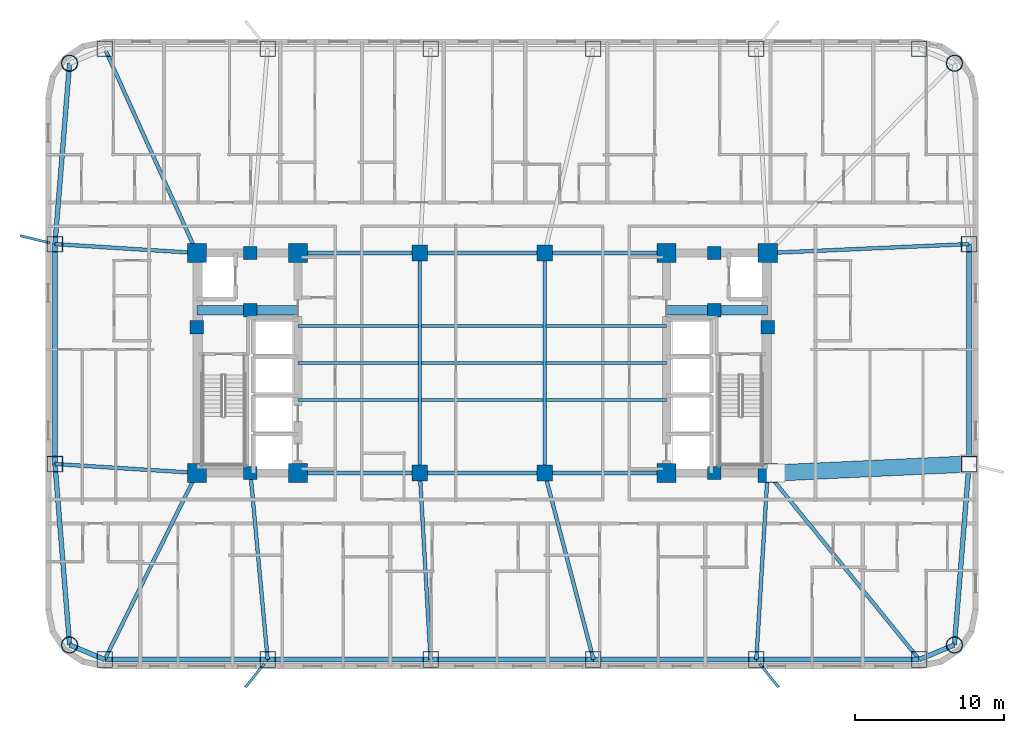
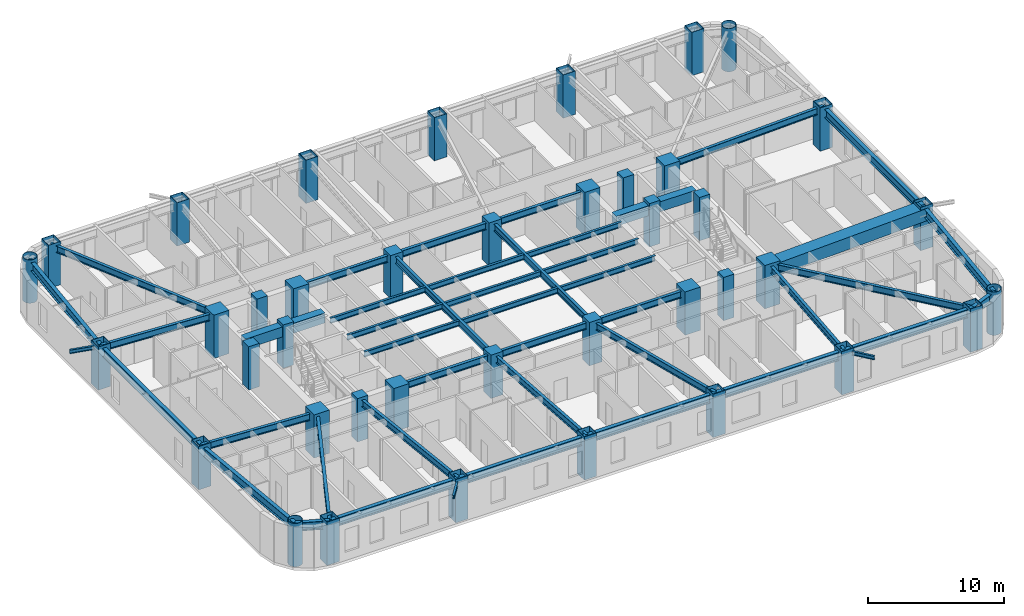
# One storey, part 1 of 12: 45 beams, 40 columns.
"""IFC4 building model written with IfcOpenShell, lengths in metres."""

from ifc_helpers import new_model, si_unit, direction, frame, origin, origin_2d, place, context, subcontext, project, spatial, rectangle, hollow_rectangle, hollow_circle, i_section, extrude, material, material_profile, profile_set, type_object, element, save


model = new_model("IFC4")

# Units and contexts
model_context = context("Model", 3, precision=1e-05, world=origin(), true_north=direction((0.0, 1.0)))
body_context = subcontext(model_context, "Body", "Model", "MODEL_VIEW")
ifc_project = project(units=[si_unit("LENGTHUNIT", "METRE"), si_unit("AREAUNIT", "SQUARE_METRE"), si_unit("VOLUMEUNIT", "CUBIC_METRE"), si_unit("PLANEANGLEUNIT", "RADIAN"), si_unit("MASSUNIT", "GRAM", prefix="KILO")], contexts=[model_context])

# Site, building, storey
site_placement = place(None, origin())
site = spatial("IfcSite", under=ifc_project, at=site_placement, CompositionType="ELEMENT")
building_placement = place(site_placement, origin())
building = spatial("IfcBuilding", under=site, at=building_placement, Name="Voryun Gate Residences", CompositionType="ELEMENT")
storey_placement = place(building_placement, frame((0.0, 0.0, 109.199951171875)))
storey = spatial("IfcBuildingStorey", under=building, at=storey_placement, Name="L26", CompositionType="ELEMENT", Elevation=109.199951171875)

# Columns
ifc_material_1 = material(Name="Concrete C50/60", Category="concrete")
ifc_material_profile_1 = material_profile(ifc_material_1, rectangle(XDim=1.050048828125, YDim=1.050048828125, at=origin_2d()), Name="RC-1050x1050")
ifc_profile_set_1 = profile_set([ifc_material_profile_1], Name="Concrete C50/60")
column_type_1 = type_object("IfcColumnType", Name="COL_CORE_1050", PredefinedType="COLUMN", material=ifc_profile_set_1)
for number, where, z_axis, x_axis, name in (
    (1, (-4.199951171875, -7.39990234375, 0.0), (0.0, 0.0, 1.0), (1.0, 0.0, 0.0), "L26 Interior spine column SP-WS"),
    (2, (-4.199951171875, 7.39990234375, 0.0), (0.0, 0.0, 1.0), (1.0, 0.0, 0.0), "L26 Interior spine column SP-WN"),
    (3, (4.199951171875, -7.39990234375, 0.0), (0.0, 0.0, 1.0), (1.0, 0.0, 0.0), "L26 Interior spine column SP-ES"),
    (4, (4.199951171875, 7.39990234375, 0.0), (0.0, 0.0, 1.0), (1.0, 0.0, 0.0), "L26 Interior spine column SP-EN"),
):
    element("IfcColumn", number, at=place(storey_placement, frame(where, z_axis=z_axis, x_axis=x_axis)), inside=storey, type_object=column_type_1, Name=name, PredefinedType="COLUMN", context=body_context, shape_type="SweptSolid", body=[
        extrude(rectangle(XDim=1.050048828125, YDim=1.050048828125, at=origin_2d()), origin(), (0.0, 0.0, 1.0), 3.900146484375),
    ])
ifc_material_2 = material(Name="Concrete C50/60", Category="concrete")
ifc_material_profile_2 = material_profile(ifc_material_2, rectangle(XDim=0.89990234375, YDim=0.89990234375, at=origin_2d()), Name="RC-900x900")
ifc_profile_set_2 = profile_set([ifc_material_profile_2], Name="Concrete C50/60")
column_type_2 = type_object("IfcColumnType", Name="COL_CORE_900", PredefinedType="COLUMN", material=ifc_profile_set_2)
for number, where, z_axis, x_axis, name in (
    (5, (-19.199951171875, 2.39990234375, 0.0), (0.0, 0.0, 1.0), (1.0, 0.0, 0.0), "L26 Core boundary column WC-MW"),
    (6, (-15.60009765625, -7.39990234375, 0.0), (0.0, 0.0, 1.0), (1.0, 0.0, 0.0), "L26 Core boundary column WC-SM"),
    (7, (-15.60009765625, 7.39990234375, 0.0), (0.0, 0.0, 1.0), (1.0, 0.0, 0.0), "L26 Core boundary column WC-NM"),
    (8, (-15.60009765625, 3.550048828125, 0.0), (0.0, 0.0, 1.0), (1.0, 0.0, 0.0), "L26 Core boundary column WC-MM"),
    (9, (15.60009765625, 3.550048828125, 0.0), (0.0, 0.0, 1.0), (1.0, 0.0, 0.0), "L26 Core boundary column EC-MM"),
    (10, (15.60009765625, -7.39990234375, 0.0), (0.0, 0.0, 1.0), (1.0, 0.0, 0.0), "L26 Core boundary column EC-SM"),
    (11, (15.60009765625, 7.39990234375, 0.0), (0.0, 0.0, 1.0), (1.0, 0.0, 0.0), "L26 Core boundary column EC-NM"),
    (12, (19.199951171875, 2.39990234375, 0.0), (0.0, 0.0, 1.0), (1.0, 0.0, 0.0), "L26 Core boundary column EC-ME"),
):
    element("IfcColumn", number, at=place(storey_placement, frame(where, z_axis=z_axis, x_axis=x_axis)), inside=storey, type_object=column_type_2, Name=name, PredefinedType="COLUMN", context=body_context, shape_type="SweptSolid", body=[
        extrude(rectangle(XDim=0.89990234375, YDim=0.89990234375, at=origin_2d()), origin(), (0.0, 0.0, 1.0), 3.900146484375),
    ])
ifc_material_3 = material(Name="Steel SM420", Category="steel")
ifc_material_profile_3 = material_profile(ifc_material_3, hollow_circle(Radius=0.550048828125, WallThickness=0.035888671875, at=origin_2d()), Name="CHS-1100x36")
ifc_profile_set_3 = profile_set([ifc_material_profile_3], Name="Steel SM420")
column_type_3 = type_object("IfcColumnType", Name="COL_CRN_1100", PredefinedType="COLUMN", material=ifc_profile_set_3)
for number, where, z_axis, x_axis, name in (
    (13, (31.768798828125, -18.96875, 0.0), (0.0, 0.0, 1.0), (1.0, 0.0, 0.0), "L26 Exoskeleton column CSE"),
    (14, (31.768798828125, 20.168701171875, 0.0), (0.0, 0.0, 1.0), (1.0, 0.0, 0.0), "L26 Exoskeleton column CNE"),
    (15, (-27.768798828125, 20.168701171875, 0.0), (0.0, 0.0, 1.0), (1.0, 0.0, 0.0), "L26 Exoskeleton column CNW"),
    (16, (-27.768798828125, -18.96875, 0.0), (0.0, 0.0, 1.0), (1.0, 0.0, 0.0), "L26 Exoskeleton column CSW"),
):
    element("IfcColumn", number, at=place(storey_placement, frame(where, z_axis=z_axis, x_axis=x_axis)), inside=storey, type_object=column_type_3, Name=name, PredefinedType="COLUMN", context=body_context, shape_type="SweptSolid", body=[
        extrude(hollow_circle(Radius=0.550048828125, WallThickness=0.035888671875, at=origin_2d()), origin(), (0.0, 0.0, 1.0), 3.900146484375),
    ])
ifc_material_4 = material(Name="Steel SM420", Category="steel")
ifc_material_profile_4 = material_profile(ifc_material_4, hollow_rectangle(XDim=1.050048828125, YDim=1.050048828125, WallThickness=0.035888671875, at=origin_2d()), Name="BOX-1050x1050x36")
ifc_profile_set_4 = profile_set([ifc_material_profile_4], Name="Steel SM420")
column_type_4 = type_object("IfcColumnType", Name="COL_EXO_B2", PredefinedType="COLUMN", material=ifc_profile_set_4)
for number, where, z_axis, x_axis, name in (
    (17, (-25.39990234375, -19.949951171875, 0.0), (0.0, 0.0, 1.0), (1.0, 0.0, 0.0), "L26 Exoskeleton column S1"),
    (18, (-14.43994140625, -19.949951171875, 0.0), (0.0, 0.0, 1.0), (1.0, 0.0, 0.0), "L26 Exoskeleton column S2"),
    (19, (-3.47998046875, -19.949951171875, 0.0), (0.0, 0.0, 1.0), (1.0, 0.0, 0.0), "L26 Exoskeleton column S3"),
    (20, (7.47998046875, -19.949951171875, 0.0), (0.0, 0.0, 1.0), (1.0, 0.0, 0.0), "L26 Exoskeleton column S4"),
    (21, (18.43994140625, -19.949951171875, 0.0), (0.0, 0.0, 1.0), (1.0, 0.0, 0.0), "L26 Exoskeleton column S5"),
    (22, (29.39990234375, -19.949951171875, 0.0), (0.0, 0.0, 1.0), (1.0, 0.0, 0.0), "L26 Exoskeleton column S6"),
    (23, (32.75, -6.798095703125, 0.0), (0.0, 0.0, 1.0), (1.0, 0.0, 0.0), "L26 Exoskeleton column E1"),
    (24, (32.75, 7.998046875, 0.0), (0.0, 0.0, 1.0), (1.0, 0.0, 0.0), "L26 Exoskeleton column E2"),
    (25, (29.39990234375, 21.14990234375, 0.0), (0.0, 0.0, 1.0), (1.0, 0.0, 0.0), "L26 Exoskeleton column N1"),
    (26, (18.43994140625, 21.14990234375, 0.0), (0.0, 0.0, 1.0), (1.0, 0.0, 0.0), "L26 Exoskeleton column N2"),
    (27, (7.47998046875, 21.14990234375, 0.0), (0.0, 0.0, 1.0), (1.0, 0.0, 0.0), "L26 Exoskeleton column N3"),
    (28, (-3.47998046875, 21.14990234375, 0.0), (0.0, 0.0, 1.0), (1.0, 0.0, 0.0), "L26 Exoskeleton column N4"),
    (29, (-14.43994140625, 21.14990234375, 0.0), (0.0, 0.0, 1.0), (1.0, 0.0, 0.0), "L26 Exoskeleton column N5"),
    (30, (-25.39990234375, 21.14990234375, 0.0), (0.0, 0.0, 1.0), (1.0, 0.0, 0.0), "L26 Exoskeleton column N6"),
    (31, (-28.75, 7.998046875, 0.0), (0.0, 0.0, 1.0), (1.0, 0.0, 0.0), "L26 Exoskeleton column W1"),
    (32, (-28.75, -6.798095703125, 0.0), (0.0, 0.0, 1.0), (1.0, 0.0, 0.0), "L26 Exoskeleton column W2"),
):
    element("IfcColumn", number, at=place(storey_placement, frame(where, z_axis=z_axis, x_axis=x_axis)), inside=storey, type_object=column_type_4, Name=name, PredefinedType="COLUMN", context=body_context, shape_type="SweptSolid", body=[
        extrude(hollow_rectangle(XDim=1.050048828125, YDim=1.050048828125, WallThickness=0.035888671875, at=origin_2d()), origin(), (0.0, 0.0, 1.0), 3.900146484375),
    ])
ifc_material_5 = material(Name="Concrete C60/75", Category="concrete")
ifc_material_profile_5 = material_profile(ifc_material_5, rectangle(XDim=1.300048828125, YDim=1.300048828125, at=origin_2d()), Name="RC-1300x1300")
ifc_profile_set_5 = profile_set([ifc_material_profile_5], Name="Concrete C60/75")
column_type_5 = type_object("IfcColumnType", Name="COL_MEGA_1300", PredefinedType="COLUMN", material=ifc_profile_set_5)
for number, where, z_axis, x_axis, name in (
    (33, (-19.199951171875, -7.39990234375, 0.0), (0.0, 0.0, 1.0), (1.0, 0.0, 0.0), "L26 Core boundary column WC-SW"),
    (34, (-19.199951171875, 7.39990234375, 0.0), (0.0, 0.0, 1.0), (1.0, 0.0, 0.0), "L26 Core boundary column WC-NW"),
    (35, (-12.39990234375, -7.39990234375, 0.0), (0.0, 0.0, 1.0), (1.0, 0.0, 0.0), "L26 Core boundary column WC-SE"),
    (36, (-12.39990234375, 7.39990234375, 0.0), (0.0, 0.0, 1.0), (1.0, 0.0, 0.0), "L26 Core boundary column WC-NE"),
    (37, (12.39990234375, -7.39990234375, 0.0), (0.0, 0.0, 1.0), (1.0, 0.0, 0.0), "L26 Core boundary column EC-SW"),
    (38, (12.39990234375, 7.39990234375, 0.0), (0.0, 0.0, 1.0), (1.0, 0.0, 0.0), "L26 Core boundary column EC-NW"),
    (39, (19.199951171875, -7.39990234375, 0.0), (0.0, 0.0, 1.0), (1.0, 0.0, 0.0), "L26 Core boundary column EC-SE"),
    (40, (19.199951171875, 7.39990234375, 0.0), (0.0, 0.0, 1.0), (1.0, 0.0, 0.0), "L26 Core boundary column EC-NE"),
):
    element("IfcColumn", number, at=place(storey_placement, frame(where, z_axis=z_axis, x_axis=x_axis)), inside=storey, type_object=column_type_5, Name=name, PredefinedType="COLUMN", context=body_context, shape_type="SweptSolid", body=[
        extrude(rectangle(XDim=1.300048828125, YDim=1.300048828125, at=origin_2d()), origin(), (0.0, 0.0, 1.0), 3.900146484375),
    ])

# Beams
ifc_material_6 = material(Name="Steel SM420", Category="steel")
ifc_material_profile_6 = material_profile(ifc_material_6, hollow_rectangle(XDim=1.10009765625, YDim=1.10009765625, WallThickness=0.035888671875, at=origin_2d()), Name="BOX-1100x1100x36")
ifc_profile_set_6 = profile_set([ifc_material_profile_6], Name="Steel SM420")
beam_type_1 = type_object("IfcBeamType", Name="BM_ARCH_RIB", PredefinedType="USERDEFINED", material=ifc_profile_set_6)
beam_1_placement = place(storey_placement, frame((19.75, -7.39990234375, 3.10009765625), z_axis=(0.998930206616, 0.046243294759, 0.0), x_axis=(-0.046243294759, 0.998930206616, 0.0)))
element("IfcBeam", 41, at=beam_1_placement, inside=storey, type_object=beam_type_1, Name="BM-L26-RAD-E1", ObjectType="GIRDER", PredefinedType="USERDEFINED", context=body_context, shape_type="SweptSolid", body=[
    extrude(hollow_rectangle(XDim=1.10009765625, YDim=1.10009765625, WallThickness=0.035888671875, at=origin_2d()), origin(), (0.0, 0.0, 1.0), 13.013916015625),
])
ifc_material_7 = material(Name="Steel SM355", Category="steel")
ifc_material_profile_7 = material_profile(ifc_material_7, i_section(OverallWidth=0.169921875, OverallDepth=0.340087890625, WebThickness=0.008056640625, FlangeThickness=0.013916015625, FilletRadius=0.01806640625, at=origin_2d()), Name="H-340x170x8x14")
ifc_profile_set_7 = profile_set([ifc_material_profile_7], Name="Steel SM355")
beam_type_2 = type_object("IfcBeamType", Name="BM_BALC_EDGE", PredefinedType="JOIST", material=ifc_profile_set_7)
for number, where, z_axis, x_axis, name in (
    (42, (-14.65869140625, -20.223388671875, 3.47998046875), (-0.624709572536, -0.780857189236, 0.0), (0.780857189236, -0.624709572536, 0.0), "BM-L26-BALBRK-S2"),
    (43, (18.65869140625, -20.223388671875, 3.47998046875), (0.624709572536, -0.780857189236, 0.0), (0.780857189236, 0.624709572536, 0.0), "BM-L26-BALBRK-S5"),
):
    element("IfcBeam", number, at=place(storey_placement, frame(where, z_axis=z_axis, x_axis=x_axis)), inside=storey, type_object=beam_type_2, Name=name, PredefinedType="JOIST", context=body_context, shape_type="SweptSolid", body=[
        extrude(i_section(OverallWidth=0.169921875, OverallDepth=0.340087890625, WebThickness=0.008056640625, FlangeThickness=0.013916015625, FilletRadius=0.01806640625, at=origin_2d()), origin(), (0.0, 0.0, 1.0), 2.0498046875),
    ])
beam_2_placement = place(storey_placement, frame((-29.09033203125, 8.079833984375, 3.47998046875), z_axis=(-0.972261764364, 0.233895407302, 0.0), x_axis=(-0.233895407302, -0.972261764364, 0.0)))
element("IfcBeam", 44, at=beam_2_placement, inside=storey, type_object=beam_type_2, Name="BM-L26-BALBRK-W1", PredefinedType="JOIST", context=body_context, shape_type="SweptSolid", body=[
    extrude(i_section(OverallWidth=0.169921875, OverallDepth=0.340087890625, WebThickness=0.008056640625, FlangeThickness=0.013916015625, FilletRadius=0.01806640625, at=origin_2d()), origin(), (0.0, 0.0, 1.0), 2.050048828125),
])
ifc_material_8 = material(Name="Concrete C60/75", Category="concrete")
ifc_material_profile_8 = material_profile(ifc_material_8, rectangle(XDim=0.64990234375, YDim=0.89990234375, at=origin_2d()), Name="RC-650x900")
ifc_profile_set_8 = profile_set([ifc_material_profile_8], Name="Concrete C60/75")
beam_type_3 = type_object("IfcBeamType", Name="BM_COUP_RC900", PredefinedType="LINTEL", material=ifc_profile_set_8)
for number, where, z_axis, x_axis, name in (
    (45, (-19.199951171875, 3.550048828125, 3.199951171875), (1.0, 0.0, 0.0), (0.0, 1.0, 0.0), "BM-L26-WC1"),
    (46, (12.39990234375, 3.550048828125, 3.199951171875), (1.0, 0.0, 0.0), (0.0, 1.0, 0.0), "BM-L26-EC1"),
):
    element("IfcBeam", number, at=place(storey_placement, frame(where, z_axis=z_axis, x_axis=x_axis)), inside=storey, type_object=beam_type_3, Name=name, PredefinedType="LINTEL", context=body_context, shape_type="SweptSolid", body=[
        extrude(rectangle(XDim=0.64990234375, YDim=0.89990234375, at=origin_2d()), origin(), (0.0, 0.0, 1.0), 6.800048828125),
    ])
ifc_material_9 = material(Name="Steel SM355", Category="steel")
ifc_material_profile_9 = material_profile(ifc_material_9, i_section(OverallWidth=0.320068359375, OverallDepth=0.75, WebThickness=0.01611328125, FlangeThickness=0.028076171875, FilletRadius=0.01806640625, at=origin_2d()), Name="H-750x320x16x28")
ifc_profile_set_9 = profile_set([ifc_material_profile_9], Name="Steel SM355")
beam_type_4 = type_object("IfcBeamType", Name="BM_EXO_SPANDREL_L", PredefinedType="SPANDREL", material=ifc_profile_set_9)
for number, where, z_axis, x_axis, name in (
    (47, (-25.39990234375, -19.949951171875, 3.275146484375), (1.0, 0.0, 0.0), (0.0, 1.0, 0.0), "BM-L26-SPAND-01"),
    (48, (-14.43994140625, -19.949951171875, 3.275146484375), (1.0, 0.0, 0.0), (0.0, 1.0, 0.0), "BM-L26-SPAND-02"),
    (49, (-3.47998046875, -19.949951171875, 3.275146484375), (1.0, 0.0, 0.0), (0.0, 1.0, 0.0), "BM-L26-SPAND-03"),
    (50, (7.47998046875, -19.949951171875, 3.275146484375), (1.0, 0.0, 0.0), (0.0, 1.0, 0.0), "BM-L26-SPAND-04"),
    (51, (18.43994140625, -19.949951171875, 3.275146484375), (1.0, 0.0, 0.0), (0.0, 1.0, 0.0), "BM-L26-SPAND-05"),
):
    element("IfcBeam", number, at=place(storey_placement, frame(where, z_axis=z_axis, x_axis=x_axis)), inside=storey, type_object=beam_type_4, Name=name, PredefinedType="SPANDREL", context=body_context, shape_type="SweptSolid", body=[
        extrude(i_section(OverallWidth=0.320068359375, OverallDepth=0.75, WebThickness=0.01611328125, FlangeThickness=0.028076171875, FilletRadius=0.01806640625, at=origin_2d()), origin(), (0.0, 0.0, 1.0), 10.9599609375),
    ])
beam_3_placement = place(storey_placement, frame((29.39990234375, -19.949951171875, 3.275146484375), z_axis=(0.923883376753, 0.382674151414, 0.0), x_axis=(-0.382674151414, 0.923883376753, 0.0)))
element("IfcBeam", 52, at=beam_3_placement, inside=storey, type_object=beam_type_4, Name="BM-L26-SPAND-06", PredefinedType="SPANDREL", context=body_context, shape_type="SweptSolid", body=[
    extrude(i_section(OverallWidth=0.320068359375, OverallDepth=0.75, WebThickness=0.01611328125, FlangeThickness=0.028076171875, FilletRadius=0.01806640625, at=origin_2d()), origin(), (0.0, 0.0, 1.0), 2.56396484375),
])
beam_4_placement = place(storey_placement, frame((31.768798828125, -18.96875, 3.275146484375), z_axis=(0.080359517973, 0.996765944378, 0.0), x_axis=(-0.996765944378, 0.080359517973, 0.0)))
element("IfcBeam", 53, at=beam_4_placement, inside=storey, type_object=beam_type_4, Name="BM-L26-SPAND-07", PredefinedType="SPANDREL", context=body_context, shape_type="SweptSolid", body=[
    extrude(i_section(OverallWidth=0.320068359375, OverallDepth=0.75, WebThickness=0.01611328125, FlangeThickness=0.028076171875, FilletRadius=0.01806640625, at=origin_2d()), origin(), (0.0, 0.0, 1.0), 12.210205078125),
])
beam_5_placement = place(storey_placement, frame((32.75, -6.798095703125, 3.275146484375), z_axis=(0.0, 1.0, 0.0), x_axis=(-1.0, 0.0, 0.0)))
element("IfcBeam", 54, at=beam_5_placement, inside=storey, type_object=beam_type_4, Name="BM-L26-SPAND-08", PredefinedType="SPANDREL", context=body_context, shape_type="SweptSolid", body=[
    extrude(i_section(OverallWidth=0.320068359375, OverallDepth=0.75, WebThickness=0.01611328125, FlangeThickness=0.028076171875, FilletRadius=0.01806640625, at=origin_2d()), origin(), (0.0, 0.0, 1.0), 14.796142578125),
])
beam_6_placement = place(storey_placement, frame((-27.768798828125, 20.168701171875, 3.275146484375), z_axis=(-0.080359517973, -0.996765944378, 0.0), x_axis=(0.996765944378, -0.080359517973, 0.0)))
element("IfcBeam", 55, at=beam_6_placement, inside=storey, type_object=beam_type_4, Name="BM-L26-SPAND-17", PredefinedType="SPANDREL", context=body_context, shape_type="SweptSolid", body=[
    extrude(i_section(OverallWidth=0.320068359375, OverallDepth=0.75, WebThickness=0.01611328125, FlangeThickness=0.028076171875, FilletRadius=0.01806640625, at=origin_2d()), origin(), (0.0, 0.0, 1.0), 12.210205078125),
])
beam_7_placement = place(storey_placement, frame((-28.75, 7.998046875, 3.275146484375), z_axis=(0.0, -1.0, 0.0), x_axis=(1.0, 0.0, 0.0)))
element("IfcBeam", 56, at=beam_7_placement, inside=storey, type_object=beam_type_4, Name="BM-L26-SPAND-18", PredefinedType="SPANDREL", context=body_context, shape_type="SweptSolid", body=[
    extrude(i_section(OverallWidth=0.320068359375, OverallDepth=0.75, WebThickness=0.01611328125, FlangeThickness=0.028076171875, FilletRadius=0.01806640625, at=origin_2d()), origin(), (0.0, 0.0, 1.0), 14.796142578125),
])
beam_8_placement = place(storey_placement, frame((-28.75, -6.798095703125, 3.275146484375), z_axis=(0.080359517973, -0.996765944378, 0.0), x_axis=(0.996765944378, 0.080359517973, 0.0)))
element("IfcBeam", 57, at=beam_8_placement, inside=storey, type_object=beam_type_4, Name="BM-L26-SPAND-19", PredefinedType="SPANDREL", context=body_context, shape_type="SweptSolid", body=[
    extrude(i_section(OverallWidth=0.320068359375, OverallDepth=0.75, WebThickness=0.01611328125, FlangeThickness=0.028076171875, FilletRadius=0.01806640625, at=origin_2d()), origin(), (0.0, 0.0, 1.0), 12.210205078125),
])
beam_9_placement = place(storey_placement, frame((-27.768798828125, -18.96875, 3.275146484375), z_axis=(0.923883376753, -0.382674151414, 0.0), x_axis=(0.382674151414, 0.923883376753, 0.0)))
element("IfcBeam", 58, at=beam_9_placement, inside=storey, type_object=beam_type_4, Name="BM-L26-SPAND-20", PredefinedType="SPANDREL", context=body_context, shape_type="SweptSolid", body=[
    extrude(i_section(OverallWidth=0.320068359375, OverallDepth=0.75, WebThickness=0.01611328125, FlangeThickness=0.028076171875, FilletRadius=0.01806640625, at=origin_2d()), origin(), (0.0, 0.0, 1.0), 2.56396484375),
])
ifc_material_10 = material(Name="Steel SM355", Category="steel")
ifc_material_profile_10 = material_profile(ifc_material_10, i_section(OverallWidth=0.25, OverallDepth=0.60009765625, WebThickness=0.011962890625, FlangeThickness=0.02197265625, FilletRadius=0.01806640625, at=origin_2d()), Name="H-600x250x12x22")
ifc_profile_set_10 = profile_set([ifc_material_profile_10], Name="Steel SM355")
beam_type_5 = type_object("IfcBeamType", Name="BM_GIRD_600", PredefinedType="USERDEFINED", material=ifc_profile_set_10)
beam_10_placement = place(storey_placement, frame((-12.39990234375, -7.39990234375, 3.35009765625), z_axis=(1.0, 0.0, 0.0), x_axis=(0.0, 1.0, 0.0)))
element("IfcBeam", 59, at=beam_10_placement, inside=storey, type_object=beam_type_5, Name="BM-L26-SPG1-S", ObjectType="GIRDER", PredefinedType="USERDEFINED", context=body_context, shape_type="SweptSolid", body=[
    extrude(i_section(OverallWidth=0.25, OverallDepth=0.60009765625, WebThickness=0.011962890625, FlangeThickness=0.02197265625, FilletRadius=0.01806640625, at=origin_2d()), origin(), (0.0, 0.0, 1.0), 8.199951171875),
])
beam_11_placement = place(storey_placement, frame((-4.199951171875, -7.39990234375, 3.35009765625), z_axis=(1.0, 0.0, 0.0), x_axis=(0.0, 1.0, 0.0)))
element("IfcBeam", 60, at=beam_11_placement, inside=storey, type_object=beam_type_5, Name="BM-L26-SPG2-S", ObjectType="GIRDER", PredefinedType="USERDEFINED", context=body_context, shape_type="SweptSolid", body=[
    extrude(i_section(OverallWidth=0.25, OverallDepth=0.60009765625, WebThickness=0.011962890625, FlangeThickness=0.02197265625, FilletRadius=0.01806640625, at=origin_2d()), origin(), (0.0, 0.0, 1.0), 8.39990234375),
])
for number, where, z_axis, x_axis, name in (
    (61, (4.199951171875, -7.39990234375, 3.35009765625), (1.0, 0.0, 0.0), (0.0, 1.0, 0.0), "BM-L26-SPG3-S"),
    (62, (-12.39990234375, 7.39990234375, 3.35009765625), (1.0, 0.0, 0.0), (0.0, 1.0, 0.0), "BM-L26-SPG1-N"),
):
    element("IfcBeam", number, at=place(storey_placement, frame(where, z_axis=z_axis, x_axis=x_axis)), inside=storey, type_object=beam_type_5, Name=name, ObjectType="GIRDER", PredefinedType="USERDEFINED", context=body_context, shape_type="SweptSolid", body=[
        extrude(i_section(OverallWidth=0.25, OverallDepth=0.60009765625, WebThickness=0.011962890625, FlangeThickness=0.02197265625, FilletRadius=0.01806640625, at=origin_2d()), origin(), (0.0, 0.0, 1.0), 8.199951171875),
    ])
beam_12_placement = place(storey_placement, frame((-4.199951171875, 7.39990234375, 3.35009765625), z_axis=(1.0, 0.0, 0.0), x_axis=(0.0, 1.0, 0.0)))
element("IfcBeam", 63, at=beam_12_placement, inside=storey, type_object=beam_type_5, Name="BM-L26-SPG2-N", ObjectType="GIRDER", PredefinedType="USERDEFINED", context=body_context, shape_type="SweptSolid", body=[
    extrude(i_section(OverallWidth=0.25, OverallDepth=0.60009765625, WebThickness=0.011962890625, FlangeThickness=0.02197265625, FilletRadius=0.01806640625, at=origin_2d()), origin(), (0.0, 0.0, 1.0), 8.39990234375),
])
beam_13_placement = place(storey_placement, frame((4.199951171875, 7.39990234375, 3.35009765625), z_axis=(1.0, 0.0, 0.0), x_axis=(0.0, 1.0, 0.0)))
element("IfcBeam", 64, at=beam_13_placement, inside=storey, type_object=beam_type_5, Name="BM-L26-SPG3-N", ObjectType="GIRDER", PredefinedType="USERDEFINED", context=body_context, shape_type="SweptSolid", body=[
    extrude(i_section(OverallWidth=0.25, OverallDepth=0.60009765625, WebThickness=0.011962890625, FlangeThickness=0.02197265625, FilletRadius=0.01806640625, at=origin_2d()), origin(), (0.0, 0.0, 1.0), 8.199951171875),
])
for number, where, z_axis, x_axis, name in (
    (65, (-4.199951171875, -7.39990234375, 3.35009765625), (0.0, 1.0, 0.0), (-1.0, 0.0, 0.0), "BM-L26-SPX-W"),
    (66, (4.199951171875, -7.39990234375, 3.35009765625), (0.0, 1.0, 0.0), (-1.0, 0.0, 0.0), "BM-L26-SPX-E"),
):
    element("IfcBeam", number, at=place(storey_placement, frame(where, z_axis=z_axis, x_axis=x_axis)), inside=storey, type_object=beam_type_5, Name=name, ObjectType="GIRDER", PredefinedType="USERDEFINED", context=body_context, shape_type="SweptSolid", body=[
        extrude(i_section(OverallWidth=0.25, OverallDepth=0.60009765625, WebThickness=0.011962890625, FlangeThickness=0.02197265625, FilletRadius=0.01806640625, at=origin_2d()), origin(), (0.0, 0.0, 1.0), 14.7998046875),
    ])
beam_14_placement = place(storey_placement, frame((-19.199951171875, -7.39990234375, 3.35009765625), z_axis=(-0.442917927955, -0.896562161312, 0.0), x_axis=(0.896562161312, -0.442917927955, 0.0)))
element("IfcBeam", 67, at=beam_14_placement, inside=storey, type_object=beam_type_5, Name="BM-L26-RAD-S1", ObjectType="GIRDER", PredefinedType="USERDEFINED", context=body_context, shape_type="SweptSolid", body=[
    extrude(i_section(OverallWidth=0.25, OverallDepth=0.60009765625, WebThickness=0.011962890625, FlangeThickness=0.02197265625, FilletRadius=0.01806640625, at=origin_2d()), origin(), (0.0, 0.0, 1.0), 13.998046875),
])
beam_15_placement = place(storey_placement, frame((-15.60009765625, -7.39990234375, 3.35009765625), z_axis=(0.092049895705, -0.995754395773, 0.0), x_axis=(0.995754395773, 0.092049895705, 0.0)))
element("IfcBeam", 68, at=beam_15_placement, inside=storey, type_object=beam_type_5, Name="BM-L26-RAD-S2", ObjectType="GIRDER", PredefinedType="USERDEFINED", context=body_context, shape_type="SweptSolid", body=[
    extrude(i_section(OverallWidth=0.25, OverallDepth=0.60009765625, WebThickness=0.011962890625, FlangeThickness=0.02197265625, FilletRadius=0.01806640625, at=origin_2d()), origin(), (0.0, 0.0, 1.0), 12.603515625),
])
beam_16_placement = place(storey_placement, frame((-4.199951171875, -7.39990234375, 3.35009765625), z_axis=(0.057273791334, -0.998358509167, 0.0), x_axis=(0.998358509167, 0.057273791334, 0.0)))
element("IfcBeam", 69, at=beam_16_placement, inside=storey, type_object=beam_type_5, Name="BM-L26-RAD-S3", ObjectType="GIRDER", PredefinedType="USERDEFINED", context=body_context, shape_type="SweptSolid", body=[
    extrude(i_section(OverallWidth=0.25, OverallDepth=0.60009765625, WebThickness=0.011962890625, FlangeThickness=0.02197265625, FilletRadius=0.01806640625, at=origin_2d()), origin(), (0.0, 0.0, 1.0), 12.57080078125),
])
beam_17_placement = place(storey_placement, frame((4.199951171875, -7.39990234375, 3.35009765625), z_axis=(0.252862419611, -0.967502246379, 0.0), x_axis=(0.967502246379, 0.252862419611, 0.0)))
element("IfcBeam", 70, at=beam_17_placement, inside=storey, type_object=beam_type_5, Name="BM-L26-RAD-S4", ObjectType="GIRDER", PredefinedType="USERDEFINED", context=body_context, shape_type="SweptSolid", body=[
    extrude(i_section(OverallWidth=0.25, OverallDepth=0.60009765625, WebThickness=0.011962890625, FlangeThickness=0.02197265625, FilletRadius=0.01806640625, at=origin_2d()), origin(), (0.0, 0.0, 1.0), 12.9716796875),
])
beam_18_placement = place(storey_placement, frame((19.199951171875, -7.39990234375, 3.35009765625), z_axis=(-0.060447572917, -0.998171373527, 0.0), x_axis=(0.998171373527, -0.060447572917, 0.0)))
element("IfcBeam", 71, at=beam_18_placement, inside=storey, type_object=beam_type_5, Name="BM-L26-RAD-S5", ObjectType="GIRDER", PredefinedType="USERDEFINED", context=body_context, shape_type="SweptSolid", body=[
    extrude(i_section(OverallWidth=0.25, OverallDepth=0.60009765625, WebThickness=0.011962890625, FlangeThickness=0.02197265625, FilletRadius=0.01806640625, at=origin_2d()), origin(), (0.0, 0.0, 1.0), 12.572998046875),
])
beam_19_placement = place(storey_placement, frame((19.199951171875, -7.39990234375, 3.35009765625), z_axis=(0.63070571586, -0.776022100189, 0.0), x_axis=(0.776022100189, 0.63070571586, 0.0)))
element("IfcBeam", 72, at=beam_19_placement, inside=storey, type_object=beam_type_5, Name="BM-L26-RAD-S6", ObjectType="GIRDER", PredefinedType="USERDEFINED", context=body_context, shape_type="SweptSolid", body=[
    extrude(i_section(OverallWidth=0.25, OverallDepth=0.60009765625, WebThickness=0.011962890625, FlangeThickness=0.02197265625, FilletRadius=0.01806640625, at=origin_2d()), origin(), (0.0, 0.0, 1.0), 16.17236328125),
])
beam_20_placement = place(storey_placement, frame((19.199951171875, 7.39990234375, 3.35009765625), z_axis=(0.999027104014, 0.044100401882, 0.0), x_axis=(-0.044100401882, 0.999027104014, 0.0)))
element("IfcBeam", 73, at=beam_20_placement, inside=storey, type_object=beam_type_5, Name="BM-L26-RAD-E2", ObjectType="GIRDER", PredefinedType="USERDEFINED", context=body_context, shape_type="SweptSolid", body=[
    extrude(i_section(OverallWidth=0.25, OverallDepth=0.60009765625, WebThickness=0.011962890625, FlangeThickness=0.02197265625, FilletRadius=0.01806640625, at=origin_2d()), origin(), (0.0, 0.0, 1.0), 13.563232421875),
])
beam_21_placement = place(storey_placement, frame((-19.199951171875, 7.39990234375, 3.35009765625), z_axis=(-0.411051048554, 0.911612327408, 0.0), x_axis=(-0.911612327408, -0.411051048554, 0.0)))
element("IfcBeam", 74, at=beam_21_placement, inside=storey, type_object=beam_type_5, Name="BM-L26-RAD-N6", ObjectType="GIRDER", PredefinedType="USERDEFINED", context=body_context, shape_type="SweptSolid", body=[
    extrude(i_section(OverallWidth=0.25, OverallDepth=0.60009765625, WebThickness=0.011962890625, FlangeThickness=0.02197265625, FilletRadius=0.01806640625, at=origin_2d()), origin(), (0.0, 0.0, 1.0), 15.083251953125),
])
beam_22_placement = place(storey_placement, frame((-19.199951171875, 7.39990234375, 3.35009765625), z_axis=(-0.998044329736, 0.062510126233, 0.0), x_axis=(-0.062510126233, -0.998044329736, 0.0)))
element("IfcBeam", 75, at=beam_22_placement, inside=storey, type_object=beam_type_5, Name="BM-L26-RAD-W1", ObjectType="GIRDER", PredefinedType="USERDEFINED", context=body_context, shape_type="SweptSolid", body=[
    extrude(i_section(OverallWidth=0.25, OverallDepth=0.60009765625, WebThickness=0.011962890625, FlangeThickness=0.02197265625, FilletRadius=0.01806640625, at=origin_2d()), origin(), (0.0, 0.0, 1.0), 9.56884765625),
])
beam_23_placement = place(storey_placement, frame((-19.199951171875, -7.39990234375, 3.35009765625), z_axis=(-0.998020380726, 0.062891332119, 0.0), x_axis=(-0.062891332119, -0.998020380726, 0.0)))
element("IfcBeam", 76, at=beam_23_placement, inside=storey, type_object=beam_type_5, Name="BM-L26-RAD-W2", ObjectType="GIRDER", PredefinedType="USERDEFINED", context=body_context, shape_type="SweptSolid", body=[
    extrude(i_section(OverallWidth=0.25, OverallDepth=0.60009765625, WebThickness=0.011962890625, FlangeThickness=0.02197265625, FilletRadius=0.01806640625, at=origin_2d()), origin(), (0.0, 0.0, 1.0), 9.569091796875),
])
ifc_material_11 = material(Name="Steel SM355", Category="steel")
ifc_material_profile_11 = material_profile(ifc_material_11, i_section(OverallWidth=0.199951171875, OverallDepth=0.47998046875, WebThickness=0.010009765625, FlangeThickness=0.01806640625, FilletRadius=0.01806640625, at=origin_2d()), Name="H-480x200x10x18")
ifc_profile_set_11 = profile_set([ifc_material_profile_11], Name="Steel SM355")
beam_type_6 = type_object("IfcBeamType", Name="BM_SEC_480", PredefinedType="BEAM", material=ifc_profile_set_11)
beam_24_placement = place(storey_placement, frame((-12.39990234375, -2.5, 3.41015625), z_axis=(1.0, 0.0, 0.0), x_axis=(0.0, 1.0, 0.0)))
element("IfcBeam", 77, at=beam_24_placement, inside=storey, type_object=beam_type_6, Name="BM-L26-SEC-CS1", PredefinedType="BEAM", context=body_context, shape_type="SweptSolid", body=[
    extrude(i_section(OverallWidth=0.199951171875, OverallDepth=0.47998046875, WebThickness=0.010009765625, FlangeThickness=0.01806640625, FilletRadius=0.01806640625, at=origin_2d()), origin(), (0.0, 0.0, 1.0), 8.099853515625),
])
beam_25_placement = place(storey_placement, frame((-4.10009765625, -2.5, 3.41015625), z_axis=(1.0, 0.0, 0.0), x_axis=(0.0, 1.0, 0.0)))
element("IfcBeam", 78, at=beam_25_placement, inside=storey, type_object=beam_type_6, Name="BM-L26-SEC-CS2", PredefinedType="BEAM", context=body_context, shape_type="SweptSolid", body=[
    extrude(i_section(OverallWidth=0.199951171875, OverallDepth=0.47998046875, WebThickness=0.010009765625, FlangeThickness=0.01806640625, FilletRadius=0.01806640625, at=origin_2d()), origin(), (0.0, 0.0, 1.0), 8.2001953125),
])
for number, where, z_axis, x_axis, name in (
    (79, (4.300048828125, -2.5, 3.41015625), (1.0, 0.0, 0.0), (0.0, 1.0, 0.0), "BM-L26-SEC-CS3"),
    (80, (-12.39990234375, 0.0, 3.41015625), (1.0, 0.0, 0.0), (0.0, 1.0, 0.0), "BM-L26-SEC-CM1"),
):
    element("IfcBeam", number, at=place(storey_placement, frame(where, z_axis=z_axis, x_axis=x_axis)), inside=storey, type_object=beam_type_6, Name=name, PredefinedType="BEAM", context=body_context, shape_type="SweptSolid", body=[
        extrude(i_section(OverallWidth=0.199951171875, OverallDepth=0.47998046875, WebThickness=0.010009765625, FlangeThickness=0.01806640625, FilletRadius=0.01806640625, at=origin_2d()), origin(), (0.0, 0.0, 1.0), 8.099853515625),
    ])
beam_26_placement = place(storey_placement, frame((-4.10009765625, 0.0, 3.41015625), z_axis=(1.0, 0.0, 0.0), x_axis=(0.0, 1.0, 0.0)))
element("IfcBeam", 81, at=beam_26_placement, inside=storey, type_object=beam_type_6, Name="BM-L26-SEC-CM2", PredefinedType="BEAM", context=body_context, shape_type="SweptSolid", body=[
    extrude(i_section(OverallWidth=0.199951171875, OverallDepth=0.47998046875, WebThickness=0.010009765625, FlangeThickness=0.01806640625, FilletRadius=0.01806640625, at=origin_2d()), origin(), (0.0, 0.0, 1.0), 8.2001953125),
])
for number, where, z_axis, x_axis, name in (
    (82, (4.300048828125, 0.0, 3.41015625), (1.0, 0.0, 0.0), (0.0, 1.0, 0.0), "BM-L26-SEC-CM3"),
    (83, (-12.39990234375, 2.5, 3.41015625), (1.0, 0.0, 0.0), (0.0, 1.0, 0.0), "BM-L26-SEC-CN1"),
):
    element("IfcBeam", number, at=place(storey_placement, frame(where, z_axis=z_axis, x_axis=x_axis)), inside=storey, type_object=beam_type_6, Name=name, PredefinedType="BEAM", context=body_context, shape_type="SweptSolid", body=[
        extrude(i_section(OverallWidth=0.199951171875, OverallDepth=0.47998046875, WebThickness=0.010009765625, FlangeThickness=0.01806640625, FilletRadius=0.01806640625, at=origin_2d()), origin(), (0.0, 0.0, 1.0), 8.099853515625),
    ])
beam_27_placement = place(storey_placement, frame((-4.10009765625, 2.5, 3.41015625), z_axis=(1.0, 0.0, 0.0), x_axis=(0.0, 1.0, 0.0)))
element("IfcBeam", 84, at=beam_27_placement, inside=storey, type_object=beam_type_6, Name="BM-L26-SEC-CN2", PredefinedType="BEAM", context=body_context, shape_type="SweptSolid", body=[
    extrude(i_section(OverallWidth=0.199951171875, OverallDepth=0.47998046875, WebThickness=0.010009765625, FlangeThickness=0.01806640625, FilletRadius=0.01806640625, at=origin_2d()), origin(), (0.0, 0.0, 1.0), 8.2001953125),
])
beam_28_placement = place(storey_placement, frame((4.300048828125, 2.5, 3.41015625), z_axis=(1.0, 0.0, 0.0), x_axis=(0.0, 1.0, 0.0)))
element("IfcBeam", 85, at=beam_28_placement, inside=storey, type_object=beam_type_6, Name="BM-L26-SEC-CN3", PredefinedType="BEAM", context=body_context, shape_type="SweptSolid", body=[
    extrude(i_section(OverallWidth=0.199951171875, OverallDepth=0.47998046875, WebThickness=0.010009765625, FlangeThickness=0.01806640625, FilletRadius=0.01806640625, at=origin_2d()), origin(), (0.0, 0.0, 1.0), 8.099853515625),
])

save(model, "model.ifc")
